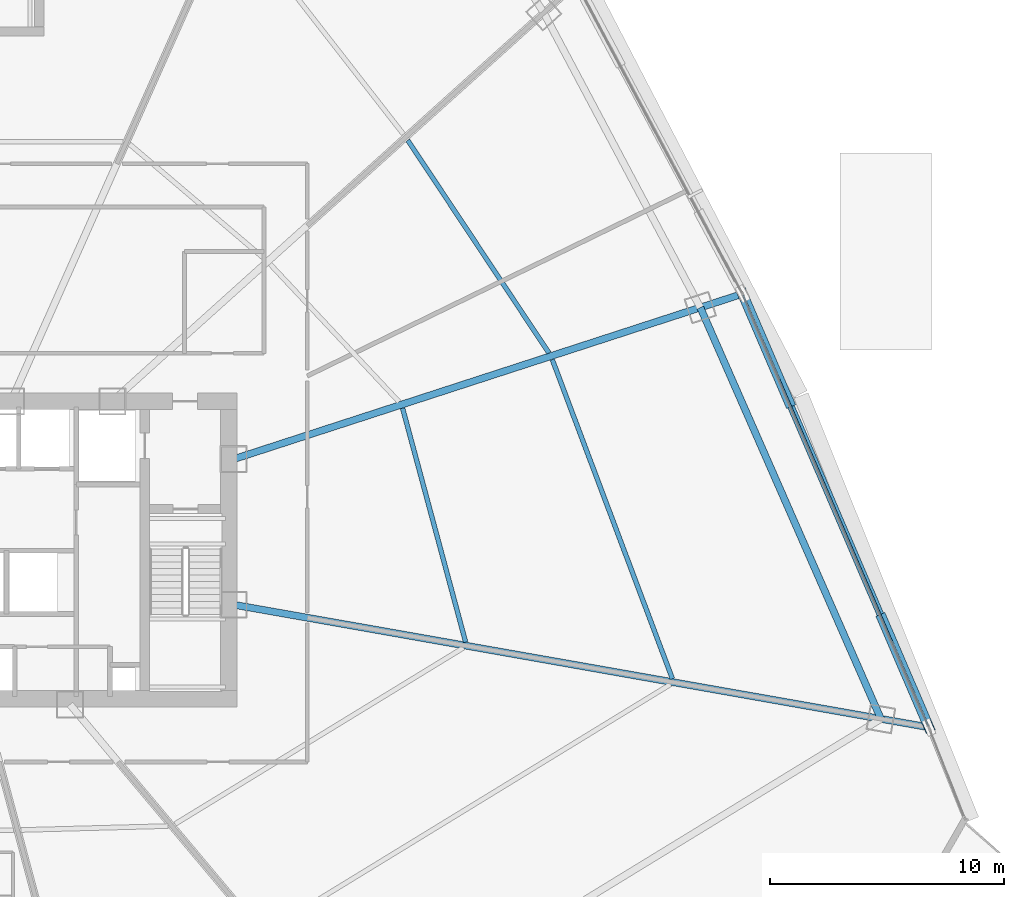
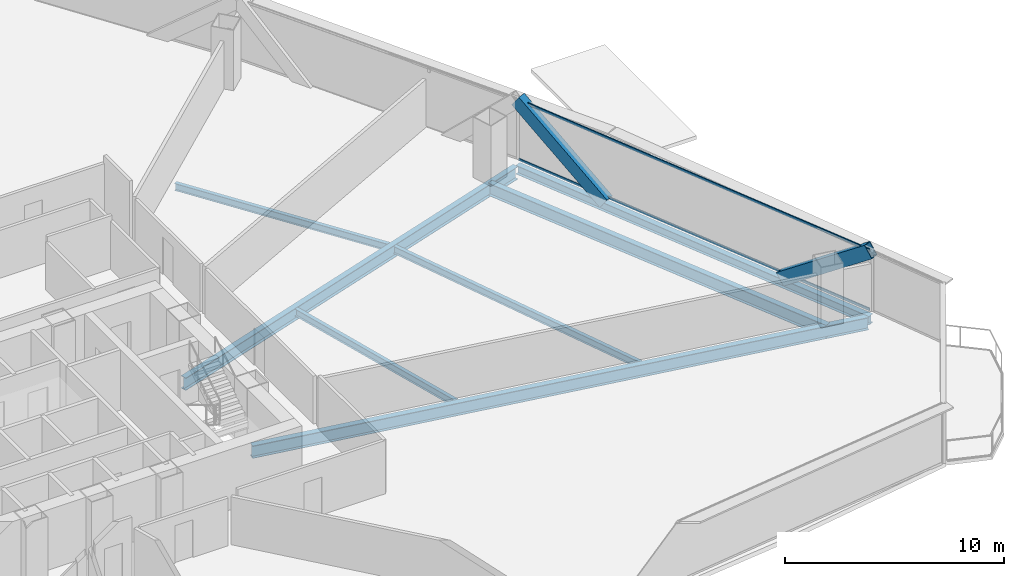
# One storey, part 22 of 38: 7 beams, 4 members, 1 element without a shape of its own.
"""IFC4 building model written with IfcOpenShell, lengths in metres."""

from ifc_helpers import new_model, si_unit, direction, frame, origin, origin_2d, place, context, subcontext, project, spatial, hollow_rectangle, i_section, extrude, source, transform, mapped, material, layer, layer_set, material_profile, profile_set, type_object, element, aggregate, save


model = new_model("IFC4")

# Units and contexts
model_context = context("Model", 3, precision=1e-05, world=origin(), true_north=direction((0.0, 1.0)))
body_context = subcontext(model_context, "Body", "Model", "MODEL_VIEW")
ifc_project = project(units=[si_unit("LENGTHUNIT", "METRE"), si_unit("AREAUNIT", "SQUARE_METRE"), si_unit("VOLUMEUNIT", "CUBIC_METRE"), si_unit("PLANEANGLEUNIT", "RADIAN"), si_unit("MASSUNIT", "GRAM", prefix="KILO"), si_unit("THERMODYNAMICTEMPERATUREUNIT", "KELVIN"), si_unit("POWERUNIT", "WATT")], contexts=[model_context])

# Site, building, storey
site_placement = place(None, origin())
site = spatial("IfcSite", under=ifc_project, at=site_placement, CompositionType="ELEMENT")
building_placement = place(site_placement, origin())
building = spatial("IfcBuilding", under=site, at=building_placement, Name="Yunzhuo Pagoda Commons", CompositionType="ELEMENT")
storey_placement = place(building_placement, frame((0.0, 0.0, 30.39990234375)))
storey = spatial("IfcBuildingStorey", under=building, at=storey_placement, Name="L07", CompositionType="ELEMENT", Elevation=30.39990234375)

# Beams
ifc_material_1 = material(Name="Structural steel Q355B", Category="steel")
ifc_material_profile_1 = material_profile(ifc_material_1, i_section(OverallWidth=0.300048828125, OverallDepth=0.699951171875, WebThickness=0.012939453125, FlangeThickness=0.02392578125, at=origin_2d()), Name="Structural steel Q355B")
ifc_profile_set_1 = profile_set([ifc_material_profile_1], Name="Structural steel Q355B")
beam_type_1 = type_object("IfcBeamType", Name="B-RG1 Beam HN 700x300x13x24", PredefinedType="BEAM", material=ifc_profile_set_1)
shared_shape_1 = source(origin(), body_context, "Body", "SweptSolid", [
    extrude(i_section(OverallWidth=0.300048828125, OverallDepth=0.699951171875, WebThickness=0.012939453125, FlangeThickness=0.02392578125, at=origin_2d()), origin(), (0.0, 0.0, 1.0), 19.18603515625),
])
beam_1_placement = place(storey_placement, frame((88.047607421875, 26.638427734375, -0.60986328125), z_axis=(-0.40196534204, 0.915654882474, 0.0), x_axis=(-0.915654882474, -0.40196534204, 0.0)))
element("IfcBeam", 1, at=beam_1_placement, inside=storey, type_object=beam_type_1, Name="L07 column-ring beam 5", PredefinedType="BEAM", context=body_context, shape_type="MappedRepresentation", body=[
    mapped(shared_shape_1, transform((0.0, 0.0, 0.0), scale=1.0)),
])
shared_shape_2 = source(origin(), body_context, "Body", "SweptSolid", [
    extrude(i_section(OverallWidth=0.300048828125, OverallDepth=0.699951171875, WebThickness=0.012939453125, FlangeThickness=0.02392578125, at=origin_2d()), origin(), (0.0, 0.0, 1.0), 30.001708984375),
])
beam_2_placement = place(storey_placement, frame((89.94580078125, 26.3037109375, -0.60986328125), z_axis=(-0.984807879934, 0.173647457857, 0.0), x_axis=(-0.173647457857, -0.984807879934, 0.0)))
element("IfcBeam", 2, at=beam_2_placement, inside=storey, type_object=beam_type_1, Name="L07 radial floor girder F2C1", PredefinedType="BEAM", context=body_context, shape_type="MappedRepresentation", body=[
    mapped(shared_shape_2, transform((0.0, 0.0, 0.0), scale=1.0)),
])
shared_shape_3 = source(origin(), body_context, "Body", "SweptSolid", [
    extrude(i_section(OverallWidth=0.300048828125, OverallDepth=0.699951171875, WebThickness=0.012939453125, FlangeThickness=0.02392578125, at=origin_2d()), origin(), (0.0, 0.0, 1.0), 22.70458984375),
])
beam_3_placement = place(storey_placement, frame((81.9931640625, 44.7451171875, -0.60986328125), z_axis=(-0.951056034213, -0.309018478068, 0.0), x_axis=(0.309018478068, -0.951056034213, 0.0)))
element("IfcBeam", 3, at=beam_3_placement, inside=storey, type_object=beam_type_1, Name="L07 radial floor girder F2C2", PredefinedType="BEAM", context=body_context, shape_type="MappedRepresentation", body=[
    mapped(shared_shape_3, transform((0.0, 0.0, 0.0), scale=1.0)),
])
ifc_material_profile_2 = material_profile(ifc_material_1, i_section(OverallWidth=0.300048828125, OverallDepth=0.488037109375, WebThickness=0.010986328125, FlangeThickness=0.01806640625, at=origin_2d()), Name="Structural steel Q355B")
ifc_profile_set_2 = profile_set([ifc_material_profile_2], Name="Structural steel Q355B")
beam_type_2 = type_object("IfcBeamType", Name="B-SP1 Beam HM 488x300x11x18", PredefinedType="BEAM", material=ifc_profile_set_2)
shared_shape_4 = source(origin(), body_context, "Body", "SweptSolid", [
    extrude(i_section(OverallWidth=0.300048828125, OverallDepth=0.488037109375, WebThickness=0.010986328125, FlangeThickness=0.01806640625, at=origin_2d()), origin(), (0.0, 0.0, 1.0), 20.153564453125),
])
beam_4_placement = place(storey_placement, frame((90.098388671875, 26.277099609375, -0.50390625), z_axis=(-0.39485772382, 0.918742280479, 0.0), x_axis=(-0.918742280479, -0.39485772382, 0.0)))
element("IfcBeam", 4, at=beam_4_placement, inside=storey, type_object=beam_type_2, Name="L07 facade edge spandrel beam F2.1", PredefinedType="BEAM", context=body_context, shape_type="MappedRepresentation", body=[
    mapped(shared_shape_4, transform((0.0, 0.0, 0.0), scale=1.0)),
])
ifc_material_profile_3 = material_profile(ifc_material_1, i_section(OverallWidth=0.199951171875, OverallDepth=0.39990234375, WebThickness=0.008056640625, FlangeThickness=0.012939453125, at=origin_2d()), Name="Structural steel Q355B")
ifc_profile_set_3 = profile_set([ifc_material_profile_3], Name="Structural steel Q355B")
beam_type_3 = type_object("IfcBeamType", Name="B-JS1 Joist HN 400x200x8x13", PredefinedType="JOIST", material=ifc_profile_set_3)
shared_shape_5 = source(origin(), body_context, "Body", "SweptSolid", [
    extrude(i_section(OverallWidth=0.199951171875, OverallDepth=0.39990234375, WebThickness=0.008056640625, FlangeThickness=0.012939453125, at=origin_2d()), origin(), (0.0, 0.0, 1.0), 10.351806640625),
])
beam_5_placement = place(storey_placement, frame((70.311767578125, 29.912109375, -0.4599609375), z_axis=(-0.260208595802, 0.965552425646, 0.0), x_axis=(-0.965552425646, -0.260208595802, 0.0)))
element("IfcBeam", 5, at=beam_5_placement, inside=storey, type_object=beam_type_3, Name="L07 composite ring joist 1.5", PredefinedType="JOIST", context=body_context, shape_type="MappedRepresentation", body=[
    mapped(shared_shape_5, transform((0.0, 0.0, 0.0), scale=1.0)),
])
shared_shape_6 = source(origin(), body_context, "Body", "SweptSolid", [
    extrude(i_section(OverallWidth=0.199951171875, OverallDepth=0.39990234375, WebThickness=0.008056640625, FlangeThickness=0.012939453125, at=origin_2d()), origin(), (0.0, 0.0, 1.0), 14.571044921875),
])
beam_6_placement = place(storey_placement, frame((79.144287109375, 28.347412109375, -0.4599609375), z_axis=(-0.352208383632, 0.935921607027, 0.0), x_axis=(-0.935921607027, -0.352208383632, 0.0)))
element("IfcBeam", 6, at=beam_6_placement, inside=storey, type_object=beam_type_3, Name="L07 composite ring joist 2.5", PredefinedType="JOIST", context=body_context, shape_type="MappedRepresentation", body=[
    mapped(shared_shape_6, transform((0.0, 0.0, 0.0), scale=1.0)),
])
shared_shape_7 = source(origin(), body_context, "Body", "SweptSolid", [
    extrude(i_section(OverallWidth=0.199951171875, OverallDepth=0.39990234375, WebThickness=0.008056640625, FlangeThickness=0.012939453125, at=origin_2d()), origin(), (0.0, 0.0, 1.0), 10.904052734375),
])
beam_7_placement = place(storey_placement, frame((73.8681640625, 42.26611328125, -0.4599609375), z_axis=(-0.552916349928, 0.833236767061, 0.0), x_axis=(-0.833236767061, -0.552916349928, 0.0)))
element("IfcBeam", 7, at=beam_7_placement, inside=storey, type_object=beam_type_3, Name="L07 composite ring joist 2.6", PredefinedType="JOIST", context=body_context, shape_type="MappedRepresentation", body=[
    mapped(shared_shape_7, transform((0.0, 0.0, 0.0), scale=1.0)),
])

# Members
ifc_material_2 = material(Name="Structural steel Q420B", Category="steel")
ifc_material_profile_4 = material_profile(ifc_material_2, hollow_rectangle(XDim=0.419921875, YDim=0.719970703125, WallThickness=0.028076171875, at=origin_2d()), Name="Structural steel Q420B")
ifc_profile_set_4 = profile_set([ifc_material_profile_4], Name="Structural steel Q420B")
member_type_1 = type_object("IfcMemberType", Name="M-DL1 Brace BOX 720x420x28", PredefinedType="BRACE", material=ifc_profile_set_4)
shared_shape_8 = source(origin(), body_context, "Body", "SweptSolid", [
    extrude(hollow_rectangle(XDim=0.419921875, YDim=0.719970703125, WallThickness=0.028076171875, at=origin_2d()), origin(), (0.0, 0.0, 1.0), 6.2099609375),
])
for number, where, z_axis, x_axis, name in (
    (8, (88.10888671875, 30.906005859375, -0.260009765625), (0.320369084163, -0.74539180706, 0.584597899313), (0.918735996941, 0.394872343833, 0.0), "L07 facade diamond brace F2.1L"),
    (9, (84.130126953125, 40.164306640625, -0.260009765625), (-0.32037847251, 0.74537433554, 0.584615030829), (-0.918728440891, -0.394889923773, 0.0), "L07 facade diamond brace F2.1R"),
):
    element("IfcMember", number, at=place(storey_placement, frame(where, z_axis=z_axis, x_axis=x_axis)), inside=storey, type_object=member_type_1, Name=name, PredefinedType="BRACE", context=body_context, shape_type="MappedRepresentation", body=[
        mapped(shared_shape_8, transform((0.0, 0.0, 0.0), scale=1.0)),
    ])

# Curtain wall, members
ifc_material_3 = material(Name="Anodized aluminium 6063-T6", Category="aluminium")
ifc_layer = layer(ifc_material_3, 0.1650390625)
ifc_layer_set = layer_set([ifc_layer], Name="Anodized aluminium 6063-T6")
curtain_wall_type = type_object("IfcCurtainWallType", Name="CW-LOW Low-Zone Ribbon Curtain Wall", PredefinedType="NOTDEFINED", material=ifc_layer_set)
curtain_wall_placement = place(storey_placement, origin())
curtain_wall = element("IfcCurtainWall", 10, at=curtain_wall_placement, inside=storey, type_object=curtain_wall_type, Name="L07 curtain wall CW-L07-F2B2", PredefinedType="NOTDEFINED")
ifc_material_profile_5 = material_profile(ifc_material_3, hollow_rectangle(XDim=0.06005859375, YDim=0.139892578125, WallThickness=0.00341796875, at=origin_2d()), Name="Anodized aluminium 6063-T6")
ifc_profile_set_5 = profile_set([ifc_material_profile_5], Name="Anodized aluminium 6063-T6")
member_type_2 = type_object("IfcMemberType", Name="CW-LOW-T Transom RHS 140x60x3.5", PredefinedType="USERDEFINED", material=ifc_profile_set_5)
shared_shape_9 = source(origin(), body_context, "Body", "SweptSolid", [
    extrude(hollow_rectangle(XDim=0.06005859375, YDim=0.139892578125, WallThickness=0.00341796875, at=origin_2d()), origin(), (0.0, 0.0, 1.0), 20.023681640625),
])
member_1_placement = place(storey_placement, frame((90.07275390625, 26.336669921875, 0.030029296875), z_axis=(-0.394854975911, 0.918743461473, 0.0), x_axis=(-0.918743461473, -0.394854975911, 0.0)))
member_1 = element("IfcMember", 11, at=member_1_placement, type_object=member_type_2, Name="CW transom 1.1", ObjectType="TRANSOM", PredefinedType="USERDEFINED", context=body_context, shape_type="MappedRepresentation", body=[
    mapped(shared_shape_9, transform((0.0, 0.0, 0.0), scale=1.0)),
])
member_2_placement = place(storey_placement, frame((90.07275390625, 26.336669921875, 3.340087890625), z_axis=(-0.394854975911, 0.918743461473, 0.0), x_axis=(-0.918743461473, -0.394854975911, 0.0)))
member_2 = element("IfcMember", 12, at=member_2_placement, type_object=member_type_2, Name="CW transom 1.2", ObjectType="TRANSOM", PredefinedType="USERDEFINED", context=body_context, shape_type="MappedRepresentation", body=[
    mapped(shared_shape_9, transform((0.0, 0.0, 0.0), scale=1.0)),
])
aggregate(curtain_wall, [member_1, member_2])

save(model, "model.ifc")
